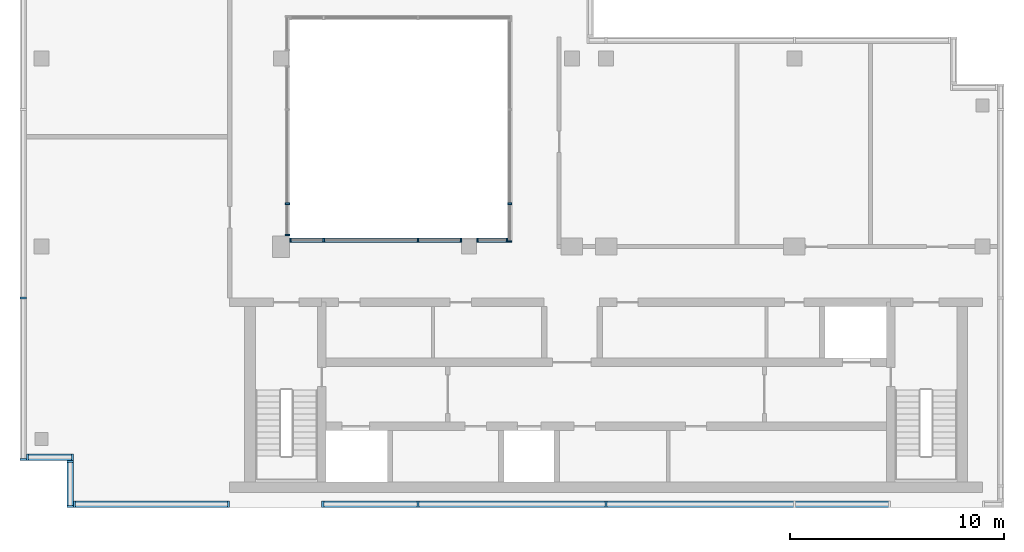
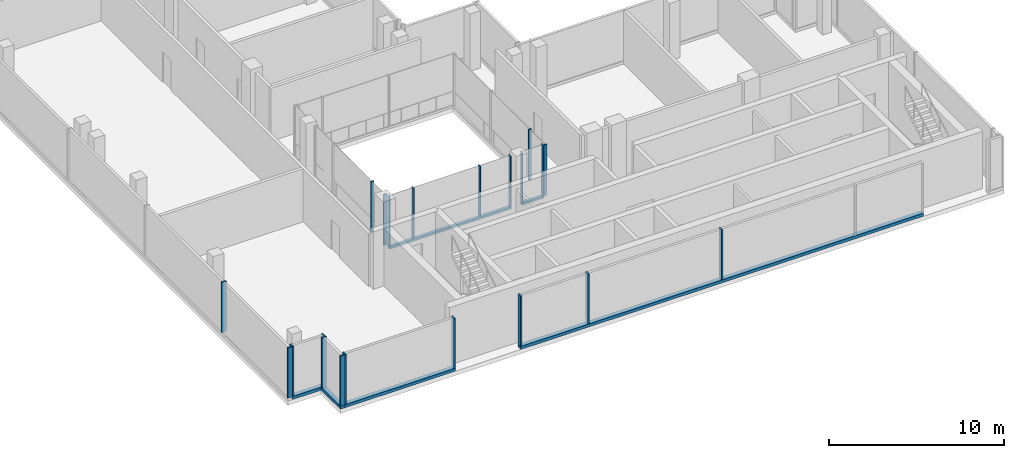
# One storey, part 2 of 11: 27 members, 9 elements without a shape of their own.
"""IFC4 building model written with IfcOpenShell, lengths in metres."""

import ifcopenshell
import ifcopenshell.guid

model = None  # the IFC model being written
_history = None  # IfcOwnerHistory: only IFC2X3 demands one
_inside = {}  # id of a spatial element -> (the spatial element, [elements in it])
_under = {}  # id of a project, library or spatial element -> (it, [spatial elements below it])
_declared = {}  # id of a project -> (the project, [libraries it declares])
_typed = {}  # id of a type object -> (the type object, [elements of that type])
_made_of = {}  # id of a material, layer set ... -> (it, [elements and type objects made of it])


def new_model(schema):
    """Start an empty IFC model of exactly this schema.

    Asked for "IFC4X3", IfcOpenShell would pick the latest addendum, in which some entities
    have other attributes; the version numbers below select the first issue.
    IFC2X3 requires an IfcOwnerHistory on every rooted entity: one is made here for all.
    """
    global model, _history
    if schema == "IFC4X3":
        model = ifcopenshell.file(schema_version=(4, 3, 0, 0))
    else:
        model = ifcopenshell.file(schema=schema)
    _inside.clear()
    _under.clear()
    _declared.clear()
    _typed.clear()
    _made_of.clear()
    _history = None
    if model.schema == "IFC2X3":
        org = make("IfcOrganization", Name="unknown")
        user = make(
            "IfcPersonAndOrganization",
            ThePerson=make("IfcPerson", FamilyName="unknown"),
            TheOrganization=org,
        )
        app = make(
            "IfcApplication",
            ApplicationDeveloper=org,
            Version="unknown",
            ApplicationFullName="unknown",
            ApplicationIdentifier="unknown",
        )
        _history = make(
            "IfcOwnerHistory",
            OwningUser=user,
            OwningApplication=app,
            ChangeAction="ADDED",
            CreationDate=0,
        )
    return model


def make(cls, **values):
    """One entity of the class cls with the attributes given. An attribute that is None is left unset."""
    return model.create_entity(
        cls, **{name: value for name, value in values.items() if value is not None}
    )


def rooted(cls, **values):
    """An entity with a GlobalId (a new one), such as an element, a storey or a relation."""
    return make(cls, GlobalId=ifcopenshell.guid.new(), OwnerHistory=_history, **values)


def si_unit(unit_type, name, prefix=None):
    """IfcSIUnit, for example si_unit("LENGTHUNIT", "METRE", prefix="MILLI")."""
    return make("IfcSIUnit", UnitType=unit_type, Prefix=prefix, Name=name)


def assignment(units):
    """IfcUnitAssignment: the units of a project."""
    return None if units is None else make("IfcUnitAssignment", Units=units)


def point(xyz):
    """IfcCartesianPoint."""
    return None if xyz is None else make("IfcCartesianPoint", Coordinates=xyz)


def direction(xyz):
    """IfcDirection."""
    return None if xyz is None else make("IfcDirection", DirectionRatios=xyz)


def frame(location, z_axis=None, x_axis=None):
    """IfcAxis2Placement3D, a coordinate frame: its origin and axes. An axis left out is left unset."""
    return make(
        "IfcAxis2Placement3D",
        Location=point(location),
        Axis=direction(z_axis),
        RefDirection=direction(x_axis),
    )


def frame_2d(location, x_axis=None):
    """IfcAxis2Placement2D, a coordinate frame in the plane: its origin and x axis."""
    return make(
        "IfcAxis2Placement2D", Location=point(location), RefDirection=direction(x_axis)
    )


def origin():
    """The frame at (0, 0, 0) with its axes left unset."""
    return frame((0.0, 0.0, 0.0))


def origin_2d():
    """The frame at (0, 0) in the plane with its x axis left unset."""
    return frame_2d((0.0, 0.0))


def place(relative_to, where):
    """IfcLocalPlacement: puts the frame where relative to a parent placement (None: the world)."""
    return make(
        "IfcLocalPlacement", PlacementRelTo=relative_to, RelativePlacement=where
    )


def context(
    kind, dimensions, precision=None, world=None, true_north=None, identifier=None
):
    """IfcGeometricRepresentationContext, for example the 3D "Model" context."""
    return make(
        "IfcGeometricRepresentationContext",
        ContextIdentifier=identifier,
        ContextType=kind,
        CoordinateSpaceDimension=dimensions,
        Precision=precision,
        WorldCoordinateSystem=world,
        TrueNorth=true_north,
    )


def subcontext(parent, identifier, kind, view, scale=None):
    """IfcGeometricRepresentationSubContext, for example "Body" below "Model"."""
    return make(
        "IfcGeometricRepresentationSubContext",
        ContextIdentifier=identifier,
        ContextType=kind,
        ParentContext=parent,
        TargetScale=scale,
        TargetView=view,
    )


def project(units=None, contexts=None):
    """IfcProject with its units and contexts."""
    return rooted(
        "IfcProject",
        Name="project",
        RepresentationContexts=contexts,
        UnitsInContext=assignment(units),
    )


def spatial(cls, under=None, at=None, **own):
    """A site, building, storey or space (cls), placed at a placement, below another one or the project."""
    s = rooted(cls, ObjectPlacement=at, **own)
    if under is not None:
        _under.setdefault(under.id(), (under, []))[1].append(s)
    return s


def profile(cls, at=None, kind="AREA", **sizes):
    """A parametric profile (cls). Its sizes go by their IFC names, for example OverallWidth=200.0."""
    return make(cls, ProfileType=kind, Position=at, **sizes)


def rectangle(**sizes):
    """IfcRectangleProfileDef."""
    return profile("IfcRectangleProfileDef", **sizes)


def extrude(swept, where, along, depth):
    """IfcExtrudedAreaSolid: the profile swept, set in the frame where, extruded along a direction by depth."""
    return make(
        "IfcExtrudedAreaSolid",
        SweptArea=swept,
        Position=where,
        ExtrudedDirection=direction(along),
        Depth=depth,
    )


def shape(context_of_items, identifier, shape_type, items):
    """IfcShapeRepresentation: the items that make up one representation, for example the "Body"."""
    return make(
        "IfcShapeRepresentation",
        ContextOfItems=context_of_items,
        RepresentationIdentifier=identifier,
        RepresentationType=shape_type,
        Items=items,
    )


def source(mapping_origin, context_of_items, identifier, shape_type, items):
    """IfcRepresentationMap: a shape defined once, which mapped items show again and again."""
    return make(
        "IfcRepresentationMap",
        MappingOrigin=mapping_origin,
        MappedRepresentation=shape(context_of_items, identifier, shape_type, items),
    )


def transform(
    local_origin,
    x_axis=None,
    y_axis=None,
    z_axis=None,
    scale=None,
    scale2=None,
    scale3=None,
    uniform=True,
):
    """IfcCartesianTransformationOperator3D, or its non-uniform kind. x_axis, y_axis, z_axis: its Axis1, 2, 3."""
    if uniform:
        return make(
            "IfcCartesianTransformationOperator3D",
            Axis1=direction(x_axis),
            Axis2=direction(y_axis),
            LocalOrigin=point(local_origin),
            Scale=scale,
            Axis3=direction(z_axis),
        )
    return make(
        "IfcCartesianTransformationOperator3DnonUniform",
        Axis1=direction(x_axis),
        Axis2=direction(y_axis),
        LocalOrigin=point(local_origin),
        Scale=scale,
        Axis3=direction(z_axis),
        Scale2=scale2,
        Scale3=scale3,
    )


def mapped(mapping_source, mapping_target):
    """IfcMappedItem: shows the shape of a source again, moved by a transform."""
    return make(
        "IfcMappedItem", MappingSource=mapping_source, MappingTarget=mapping_target
    )


def material(Name=None, Category=None):
    """IfcMaterial."""
    return make("IfcMaterial", Name=Name, Category=Category)


def material_profile(
    of_material, cross_section, Name=None, Category=None, Priority=None
):
    """IfcMaterialProfile: a cross section and its material."""
    return make(
        "IfcMaterialProfile",
        Name=Name,
        Material=of_material,
        Profile=cross_section,
        Priority=Priority,
        Category=Category,
    )


def profile_set(profiles, Name=None, composite=None):
    """IfcMaterialProfileSet."""
    return make(
        "IfcMaterialProfileSet",
        Name=Name,
        MaterialProfiles=profiles,
        CompositeProfile=composite,
    )


def made_of(thing, what):
    """Note that an element or type object is made of a material, layer set ...; save() writes the relation."""
    if what is not None:
        _made_of.setdefault(what.id(), (what, []))[1].append(thing)
    return thing


def type_object(cls, material=None, **own):
    """A type object (cls), such as IfcWallType, which elements share."""
    return made_of(rooted(cls, **own), material)


def element(
    cls,
    number,
    at=None,
    inside=None,
    cuts=None,
    type_object=None,
    material=None,
    context=None,
    identifier="Body",
    shape_type=None,
    held_by="IfcProductDefinitionShape",
    body=None,
    shapes=None,
    **own,
):
    """One element of the class cls, such as IfcWall. Its Tag is "e" and its number.

    at: its placement. inside: the storey or other place that contains it. cuts: it is an
    opening in that element (IfcRelVoidsElement). A single representation is given by context,
    identifier, shape_type and body (its items); several are given by shapes. held_by: the class
    of the entity that holds the representations. save() writes the other relations.
    """
    e = rooted(cls, Tag="e%d" % number, ObjectPlacement=at, **own)
    if body is not None:
        shapes = [shape(context, identifier, shape_type, body)]
    if shapes is not None:
        e.Representation = make(held_by, Representations=shapes)
    if inside is not None:
        _inside.setdefault(inside.id(), (inside, []))[1].append(e)
    if cuts is not None:
        rooted(
            "IfcRelVoidsElement", RelatingBuildingElement=cuts, RelatedOpeningElement=e
        )
    if type_object is not None:
        _typed.setdefault(type_object.id(), (type_object, []))[1].append(e)
    return made_of(e, material)


def aggregate(whole, parts):
    """IfcRelAggregates: a whole, such as a stair, and the parts it consists of."""
    return rooted("IfcRelAggregates", RelatingObject=whole, RelatedObjects=parts)


def save(model, path):
    """Write the relations noted so far, then the file.

    IfcRelAggregates (storeys below a building ...), IfcRelContainedInSpatialStructure (elements
    in a storey), IfcRelDefinesByType, IfcRelAssociatesMaterial and IfcRelDeclares: one each for
    every whole, place, type object, material and project.
    """
    for whole, parts in _under.values():
        aggregate(whole, parts)
    for where, things in _inside.values():
        rooted(
            "IfcRelContainedInSpatialStructure",
            RelatedElements=things,
            RelatingStructure=where,
        )
    for kind, things in _typed.values():
        rooted("IfcRelDefinesByType", RelatedObjects=things, RelatingType=kind)
    for what, things in _made_of.values():
        rooted("IfcRelAssociatesMaterial", RelatedObjects=things, RelatingMaterial=what)
    for by, libraries in _declared.values():
        rooted("IfcRelDeclares", RelatingContext=by, RelatedDefinitions=libraries)
    model.write(path)


model = new_model("IFC4")

# Units and contexts
model_context = context("Model", 3, precision=1e-05, world=origin(), true_north=direction((0.0, 1.0)))
body_context = subcontext(model_context, "Body", "Model", "MODEL_VIEW")
ifc_project = project(units=[si_unit("LENGTHUNIT", "METRE"), si_unit("AREAUNIT", "SQUARE_METRE"), si_unit("VOLUMEUNIT", "CUBIC_METRE"), si_unit("PLANEANGLEUNIT", "RADIAN"), si_unit("MASSUNIT", "GRAM", prefix="KILO")], contexts=[model_context])

# Site, building, storey
site_placement = place(None, origin())
site = spatial("IfcSite", under=ifc_project, at=site_placement, CompositionType="ELEMENT")
building_placement = place(site_placement, origin())
building = spatial("IfcBuilding", under=site, at=building_placement, Name="Kemantara Hotel Tower", CompositionType="ELEMENT")
storey_placement = place(building_placement, frame((0.0, 0.0, 322.199951171875)))
storey = spatial("IfcBuildingStorey", under=building, at=storey_placement, Name="L81", CompositionType="ELEMENT", Elevation=322.199951171875)

# Curtain wall, member
ifc_material_1 = material(Name="Clear low-iron laminated glass 36 mm", Category="glass")
curtain_wall_type_1 = type_object("IfcCurtainWallType", Name="ATRIUM GLAZING WALL", PredefinedType="USERDEFINED", material=ifc_material_1)
curtain_wall_1_placement = place(storey_placement, origin())
curtain_wall_1 = element("IfcCurtainWall", 1, at=curtain_wall_1_placement, inside=storey, type_object=curtain_wall_type_1, Name="CW5 L81 ATR-R2-1", ObjectType="ATRIUM GLAZING WALL", PredefinedType="USERDEFINED")
ifc_material_2 = material(Name="Aluminium 6063-T6 bronze anodised", Category="aluminium")
ifc_material_profile_1 = material_profile(ifc_material_2, rectangle(XDim=0.199951171875, YDim=0.14990234375, at=origin_2d()), Name="ATRIUM GLAZING WALL TRANSOM")
ifc_profile_set_1 = profile_set([ifc_material_profile_1], Name="Aluminium 6063-T6 bronze anodised")
member_type_1 = type_object("IfcMemberType", Name="ATRIUM GLAZING WALL TRANSOM", PredefinedType="USERDEFINED", material=ifc_profile_set_1)
member_1_placement = place(storey_placement, frame((22.800048828125, 12.5, 0.074951171875), z_axis=(-1.0, 0.0, 0.0), x_axis=(0.0, -1.0, 0.0)))
member_1 = element("IfcMember", 2, at=member_1_placement, type_object=member_type_1, Name="CW5 sill transom ATR-R2-1", ObjectType="TRANSOM", PredefinedType="USERDEFINED", context=body_context, shape_type="SweptSolid", body=[
    extrude(rectangle(XDim=0.199951171875, YDim=0.14990234375, at=origin_2d()), origin(), (0.0, 0.0, 1.0), 1.449951171875),
])

curtain_wall_2_placement = place(storey_placement, origin())
curtain_wall_2 = element("IfcCurtainWall", 3, at=curtain_wall_2_placement, inside=storey, type_object=curtain_wall_type_1, Name="CW5 L81 ATR-R2-2", ObjectType="ATRIUM GLAZING WALL", PredefinedType="USERDEFINED")
member_2_placement = place(storey_placement, frame((20.64990234375, 12.5, 0.074951171875), z_axis=(-1.0, 0.0, 0.0), x_axis=(0.0, -1.0, 0.0)))
member_2 = element("IfcMember", 4, at=member_2_placement, type_object=member_type_1, Name="CW5 sill transom ATR-R2-2", ObjectType="TRANSOM", PredefinedType="USERDEFINED", context=body_context, shape_type="SweptSolid", body=[
    extrude(rectangle(XDim=0.199951171875, YDim=0.14990234375, at=origin_2d()), origin(), (0.0, 0.0, 1.0), 8.0498046875),
])

curtain_wall_type_2 = type_object("IfcCurtainWallType", Name="CROWN LOUVRE SCREEN WALL", PredefinedType="USERDEFINED", material=ifc_material_2)
curtain_wall_3_placement = place(storey_placement, origin())
curtain_wall_3 = element("IfcCurtainWall", 5, at=curtain_wall_3_placement, inside=storey, type_object=curtain_wall_type_2, Name="CW7 L81 CRN-R08-1", ObjectType="CROWN LOUVRE SCREEN WALL", PredefinedType="USERDEFINED")
ifc_material_profile_2 = material_profile(ifc_material_2, rectangle(XDim=0.300048828125, YDim=0.199951171875, at=origin_2d()), Name="CROWN LOUVRE SCREEN WALL TRANSOM")
ifc_profile_set_2 = profile_set([ifc_material_profile_2], Name="Aluminium 6063-T6 bronze anodised")
member_type_2 = type_object("IfcMemberType", Name="CROWN LOUVRE SCREEN WALL TRANSOM", PredefinedType="USERDEFINED", material=ifc_profile_set_2)
member_3_placement = place(storey_placement, frame((2.5, 0.14990234375, 0.10009765625), z_axis=(1.0, 0.0, 0.0), x_axis=(0.0, 1.0, 0.0)))
member_3 = element("IfcMember", 6, at=member_3_placement, type_object=member_type_2, Name="CW7 sill transom CRN-R08-1", ObjectType="TRANSOM", PredefinedType="USERDEFINED", context=body_context, shape_type="SweptSolid", body=[
    extrude(rectangle(XDim=0.300048828125, YDim=0.199951171875, at=origin_2d()), origin(), (0.0, 0.0, 1.0), 7.300048828125),
])

curtain_wall_4_placement = place(storey_placement, origin())
curtain_wall_4 = element("IfcCurtainWall", 7, at=curtain_wall_4_placement, inside=storey, type_object=curtain_wall_type_2, Name="CW7 L81 CRN-R08-2", ObjectType="CROWN LOUVRE SCREEN WALL", PredefinedType="USERDEFINED")
member_4_placement = place(storey_placement, frame((14.10009765625, 0.14990234375, 0.10009765625), z_axis=(1.0, 0.0, 0.0), x_axis=(0.0, 1.0, 0.0)))
member_4 = element("IfcMember", 8, at=member_4_placement, type_object=member_type_2, Name="CW7 sill transom CRN-R08-2", ObjectType="TRANSOM", PredefinedType="USERDEFINED", context=body_context, shape_type="SweptSolid", body=[
    extrude(rectangle(XDim=0.300048828125, YDim=0.199951171875, at=origin_2d()), origin(), (0.0, 0.0, 1.0), 26.599853515625),
])

curtain_wall_5_placement = place(storey_placement, origin())
curtain_wall_5 = element("IfcCurtainWall", 9, at=curtain_wall_5_placement, inside=storey, type_object=curtain_wall_type_2, Name="CW7 L81 CRN-R06-1", ObjectType="CROWN LOUVRE SCREEN WALL", PredefinedType="USERDEFINED")
member_5_placement = place(storey_placement, frame((0.300048828125, 2.35009765625, 0.10009765625), z_axis=(1.0, 0.0, 0.0), x_axis=(0.0, 1.0, 0.0)))
member_5 = element("IfcMember", 10, at=member_5_placement, type_object=member_type_2, Name="CW7 sill transom CRN-R06-1", ObjectType="TRANSOM", PredefinedType="USERDEFINED", context=body_context, shape_type="SweptSolid", body=[
    extrude(rectangle(XDim=0.300048828125, YDim=0.199951171875, at=origin_2d()), origin(), (0.0, 0.0, 1.0), 2.199951171875),
])

curtain_wall_6_placement = place(storey_placement, origin())
curtain_wall_6 = element("IfcCurtainWall", 11, at=curtain_wall_6_placement, inside=storey, type_object=curtain_wall_type_2, Name="CW7 L81 CRN-R07-1", ObjectType="CROWN LOUVRE SCREEN WALL", PredefinedType="USERDEFINED")
member_6_placement = place(storey_placement, frame((2.35009765625, 2.199951171875, 0.10009765625), z_axis=(0.0, -1.0, 0.0), x_axis=(1.0, 0.0, 0.0)))
member_6 = element("IfcMember", 12, at=member_6_placement, type_object=member_type_2, Name="CW7 sill transom CRN-R07-1", ObjectType="TRANSOM", PredefinedType="USERDEFINED", context=body_context, shape_type="SweptSolid", body=[
    extrude(rectangle(XDim=0.300048828125, YDim=0.199951171875, at=origin_2d()), origin(), (0.0, 0.0, 1.0), 2.199951171875),
])

# Curtain wall, members
curtain_wall_7_placement = place(storey_placement, origin())
curtain_wall_7 = element("IfcCurtainWall", 13, at=curtain_wall_7_placement, inside=storey, type_object=curtain_wall_type_2, Name="CW7 L81 CRN-R05-1", ObjectType="CROWN LOUVRE SCREEN WALL", PredefinedType="USERDEFINED")
ifc_material_profile_3 = material_profile(ifc_material_2, rectangle(XDim=0.300048828125, YDim=0.10009765625, at=origin_2d()), Name="CROWN LOUVRE SCREEN WALL MULLION")
ifc_profile_set_3 = profile_set([ifc_material_profile_3], Name="Aluminium 6063-T6 bronze anodised")
member_type_3 = type_object("IfcMemberType", Name="CROWN LOUVRE SCREEN WALL MULLION", PredefinedType="MULLION", material=ifc_profile_set_3)
shared_shape_1 = source(origin(), body_context, "Body", "SweptSolid", [
    extrude(rectangle(XDim=0.300048828125, YDim=0.10009765625, at=origin_2d()), origin(), (0.0, 0.0, 1.0), 3.5),
])
member_7_placement = place(storey_placement, frame((0.14990234375, 9.800048828125, 0.199951171875), z_axis=(0.0, 0.0, 1.0), x_axis=(1.0, 0.0, 0.0)))
member_7 = element("IfcMember", 14, at=member_7_placement, type_object=member_type_3, Name="CW7 mullion CRN-R05-1.7", PredefinedType="MULLION", context=body_context, shape_type="MappedRepresentation", body=[
    mapped(shared_shape_1, transform((0.0, 0.0, 0.0))),
])
member_8_placement = place(storey_placement, frame((0.14990234375, 2.25, 0.199951171875), z_axis=(0.0, 0.0, 1.0), x_axis=(1.0, 0.0, 0.0)))
member_8 = element("IfcMember", 15, at=member_8_placement, type_object=member_type_3, Name="CW7 mullion CRN-R05-1.8", PredefinedType="MULLION", context=body_context, shape_type="MappedRepresentation", body=[
    mapped(shared_shape_1, transform((0.0, 0.0, 0.0))),
])
aggregate(curtain_wall_7, [member_7, member_8])

# Member
member_9_placement = place(storey_placement, frame((2.550048828125, 0.14990234375, 0.199951171875), z_axis=(0.0, 0.0, 1.0), x_axis=(0.0, 1.0, 0.0)))
member_9 = element("IfcMember", 16, at=member_9_placement, type_object=member_type_3, Name="CW7 mullion CRN-R08-1.1", PredefinedType="MULLION", context=body_context, shape_type="MappedRepresentation", body=[
    mapped(shared_shape_1, transform((0.0, 0.0, 0.0))),
])

member_10_placement = place(storey_placement, frame((9.75, 0.14990234375, 0.199951171875), z_axis=(0.0, 0.0, 1.0), x_axis=(0.0, 1.0, 0.0)))
member_10 = element("IfcMember", 17, at=member_10_placement, type_object=member_type_3, Name="CW7 mullion CRN-R08-1.2", PredefinedType="MULLION", context=body_context, shape_type="MappedRepresentation", body=[
    mapped(shared_shape_1, transform((0.0, 0.0, 0.0))),
])

aggregate(curtain_wall_3, [member_3, member_9, member_10])

member_11_placement = place(storey_placement, frame((14.14990234375, 0.14990234375, 0.199951171875), z_axis=(0.0, 0.0, 1.0), x_axis=(0.0, 1.0, 0.0)))
member_11 = element("IfcMember", 18, at=member_11_placement, type_object=member_type_3, Name="CW7 mullion CRN-R08-2.1", PredefinedType="MULLION", context=body_context, shape_type="MappedRepresentation", body=[
    mapped(shared_shape_1, transform((0.0, 0.0, 0.0))),
])

member_12_placement = place(storey_placement, frame((18.60009765625, 0.14990234375, 0.199951171875), z_axis=(0.0, 0.0, 1.0), x_axis=(0.0, 1.0, 0.0)))
member_12 = element("IfcMember", 19, at=member_12_placement, type_object=member_type_3, Name="CW7 mullion CRN-R08-2.2", PredefinedType="MULLION", context=body_context, shape_type="MappedRepresentation", body=[
    mapped(shared_shape_1, transform((0.0, 0.0, 0.0))),
])

member_13_placement = place(storey_placement, frame((27.39990234375, 0.14990234375, 0.199951171875), z_axis=(0.0, 0.0, 1.0), x_axis=(0.0, 1.0, 0.0)))
member_13 = element("IfcMember", 20, at=member_13_placement, type_object=member_type_3, Name="CW7 mullion CRN-R08-2.3", PredefinedType="MULLION", context=body_context, shape_type="MappedRepresentation", body=[
    mapped(shared_shape_1, transform((0.0, 0.0, 0.0))),
])

aggregate(curtain_wall_4, [member_4, member_11, member_12, member_13])

member_14_placement = place(storey_placement, frame((0.35009765625, 2.35009765625, 0.199951171875), z_axis=(0.0, 0.0, 1.0), x_axis=(0.0, 1.0, 0.0)))
member_14 = element("IfcMember", 21, at=member_14_placement, type_object=member_type_3, Name="CW7 mullion CRN-R06-1.1", PredefinedType="MULLION", context=body_context, shape_type="MappedRepresentation", body=[
    mapped(shared_shape_1, transform((0.0, 0.0, 0.0))),
])

member_15_placement = place(storey_placement, frame((2.449951171875, 2.35009765625, 0.199951171875), z_axis=(0.0, 0.0, 1.0), x_axis=(0.0, 1.0, 0.0)))
member_15 = element("IfcMember", 22, at=member_15_placement, type_object=member_type_3, Name="CW7 mullion CRN-R06-1.2", PredefinedType="MULLION", context=body_context, shape_type="MappedRepresentation", body=[
    mapped(shared_shape_1, transform((0.0, 0.0, 0.0))),
])

aggregate(curtain_wall_5, [member_5, member_14, member_15])

member_16_placement = place(storey_placement, frame((2.35009765625, 2.14990234375, 0.199951171875), z_axis=(0.0, 0.0, 1.0), x_axis=(1.0, 0.0, 0.0)))
member_16 = element("IfcMember", 23, at=member_16_placement, type_object=member_type_3, Name="CW7 mullion CRN-R07-1.1", PredefinedType="MULLION", context=body_context, shape_type="MappedRepresentation", body=[
    mapped(shared_shape_1, transform((0.0, 0.0, 0.0))),
])

member_17_placement = place(storey_placement, frame((2.35009765625, 0.050048828125, 0.199951171875), z_axis=(0.0, 0.0, 1.0), x_axis=(1.0, 0.0, 0.0)))
member_17 = element("IfcMember", 24, at=member_17_placement, type_object=member_type_3, Name="CW7 mullion CRN-R07-1.2", PredefinedType="MULLION", context=body_context, shape_type="MappedRepresentation", body=[
    mapped(shared_shape_1, transform((0.0, 0.0, 0.0))),
])

aggregate(curtain_wall_6, [member_6, member_16, member_17])

# Curtain wall, members
curtain_wall_8_placement = place(storey_placement, origin())
curtain_wall_8 = element("IfcCurtainWall", 25, at=curtain_wall_8_placement, inside=storey, type_object=curtain_wall_type_1, Name="CW5 L81 ATR-R1-1", ObjectType="ATRIUM GLAZING WALL", PredefinedType="USERDEFINED")
ifc_material_profile_4 = material_profile(ifc_material_2, rectangle(XDim=0.199951171875, YDim=0.074951171875, at=origin_2d()), Name="ATRIUM GLAZING WALL MULLION")
ifc_profile_set_4 = profile_set([ifc_material_profile_4], Name="Aluminium 6063-T6 bronze anodised")
member_type_4 = type_object("IfcMemberType", Name="ATRIUM GLAZING WALL MULLION", PredefinedType="MULLION", material=ifc_profile_set_4)
shared_shape_2 = source(origin(), body_context, "Body", "SweptSolid", [
    extrude(rectangle(XDim=0.199951171875, YDim=0.074951171875, at=origin_2d()), origin(), (0.0, 0.0, 1.0), 3.5498046875),
])
member_18_placement = place(storey_placement, frame((22.89990234375, 14.199951171875, 0.150146484375), z_axis=(0.0, 0.0, 1.0), x_axis=(1.0, 0.0, 0.0)))
member_18 = element("IfcMember", 26, at=member_18_placement, type_object=member_type_4, Name="CW5 mullion ATR-R1-1.3", PredefinedType="MULLION", context=body_context, shape_type="MappedRepresentation", body=[
    mapped(shared_shape_2, transform((0.0, 0.0, 0.0))),
])
member_19_placement = place(storey_placement, frame((22.89990234375, 12.4375, 0.150146484375), z_axis=(0.0, 0.0, 1.0), x_axis=(1.0, 0.0, 0.0)))
member_19 = element("IfcMember", 27, at=member_19_placement, type_object=member_type_4, Name="CW5 mullion ATR-R1-1.4", PredefinedType="MULLION", context=body_context, shape_type="MappedRepresentation", body=[
    mapped(shared_shape_2, transform((0.0, 0.0, 0.0))),
])
aggregate(curtain_wall_8, [member_18, member_19])

# Member
member_20_placement = place(storey_placement, frame((22.762451171875, 12.5, 0.150146484375), z_axis=(0.0, 0.0, 1.0), x_axis=(0.0, -1.0, 0.0)))
member_20 = element("IfcMember", 28, at=member_20_placement, type_object=member_type_4, Name="CW5 mullion ATR-R2-1.1", PredefinedType="MULLION", context=body_context, shape_type="MappedRepresentation", body=[
    mapped(shared_shape_2, transform((0.0, 0.0, 0.0))),
])

member_21_placement = place(storey_placement, frame((21.387451171875, 12.5, 0.150146484375), z_axis=(0.0, 0.0, 1.0), x_axis=(0.0, -1.0, 0.0)))
member_21 = element("IfcMember", 29, at=member_21_placement, type_object=member_type_4, Name="CW5 mullion ATR-R2-1.2", PredefinedType="MULLION", context=body_context, shape_type="MappedRepresentation", body=[
    mapped(shared_shape_2, transform((0.0, 0.0, 0.0))),
])

aggregate(curtain_wall_1, [member_1, member_20, member_21])

member_22_placement = place(storey_placement, frame((20.612548828125, 12.5, 0.150146484375), z_axis=(0.0, 0.0, 1.0), x_axis=(0.0, -1.0, 0.0)))
member_22 = element("IfcMember", 30, at=member_22_placement, type_object=member_type_4, Name="CW5 mullion ATR-R2-2.1", PredefinedType="MULLION", context=body_context, shape_type="MappedRepresentation", body=[
    mapped(shared_shape_2, transform((0.0, 0.0, 0.0))),
])

member_23_placement = place(storey_placement, frame((18.60009765625, 12.5, 0.150146484375), z_axis=(0.0, 0.0, 1.0), x_axis=(0.0, -1.0, 0.0)))
member_23 = element("IfcMember", 31, at=member_23_placement, type_object=member_type_4, Name="CW5 mullion ATR-R2-2.2", PredefinedType="MULLION", context=body_context, shape_type="MappedRepresentation", body=[
    mapped(shared_shape_2, transform((0.0, 0.0, 0.0))),
])

member_24_placement = place(storey_placement, frame((14.199951171875, 12.5, 0.150146484375), z_axis=(0.0, 0.0, 1.0), x_axis=(0.0, -1.0, 0.0)))
member_24 = element("IfcMember", 32, at=member_24_placement, type_object=member_type_4, Name="CW5 mullion ATR-R2-2.3", PredefinedType="MULLION", context=body_context, shape_type="MappedRepresentation", body=[
    mapped(shared_shape_2, transform((0.0, 0.0, 0.0))),
])

member_25_placement = place(storey_placement, frame((12.637451171875, 12.5, 0.150146484375), z_axis=(0.0, 0.0, 1.0), x_axis=(0.0, -1.0, 0.0)))
member_25 = element("IfcMember", 33, at=member_25_placement, type_object=member_type_4, Name="CW5 mullion ATR-R2-2.4", PredefinedType="MULLION", context=body_context, shape_type="MappedRepresentation", body=[
    mapped(shared_shape_2, transform((0.0, 0.0, 0.0))),
])

aggregate(curtain_wall_2, [member_2, member_22, member_23, member_24, member_25])

# Curtain wall, members
curtain_wall_9_placement = place(storey_placement, origin())
curtain_wall_9 = element("IfcCurtainWall", 34, at=curtain_wall_9_placement, inside=storey, type_object=curtain_wall_type_1, Name="CW5 L81 ATR-R3-1", ObjectType="ATRIUM GLAZING WALL", PredefinedType="USERDEFINED")
member_26_placement = place(storey_placement, frame((12.5, 12.737548828125, 0.150146484375), z_axis=(0.0, 0.0, 1.0), x_axis=(-1.0, 0.0, 0.0)))
member_26 = element("IfcMember", 35, at=member_26_placement, type_object=member_type_4, Name="CW5 mullion ATR-R3-1.1", PredefinedType="MULLION", context=body_context, shape_type="MappedRepresentation", body=[
    mapped(shared_shape_2, transform((0.0, 0.0, 0.0))),
])
member_27_placement = place(storey_placement, frame((12.5, 14.199951171875, 0.150146484375), z_axis=(0.0, 0.0, 1.0), x_axis=(-1.0, 0.0, 0.0)))
member_27 = element("IfcMember", 36, at=member_27_placement, type_object=member_type_4, Name="CW5 mullion ATR-R3-1.2", PredefinedType="MULLION", context=body_context, shape_type="MappedRepresentation", body=[
    mapped(shared_shape_2, transform((0.0, 0.0, 0.0))),
])
aggregate(curtain_wall_9, [member_26, member_27])

save(model, "model.ifc")
